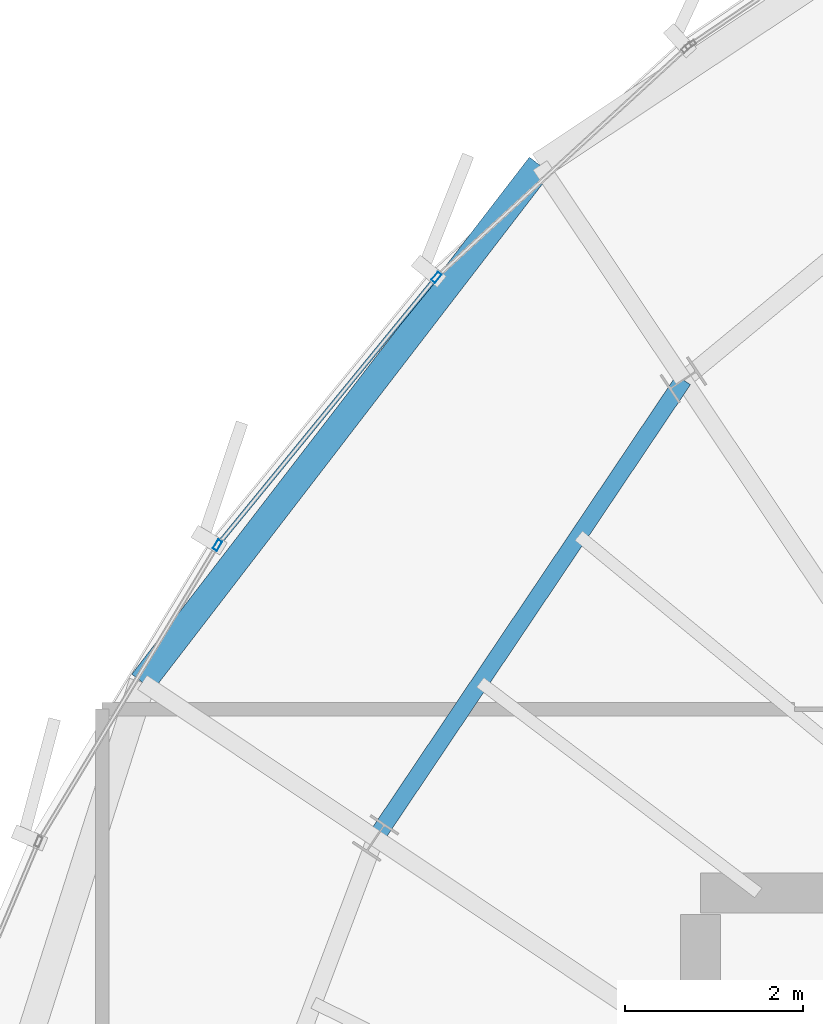
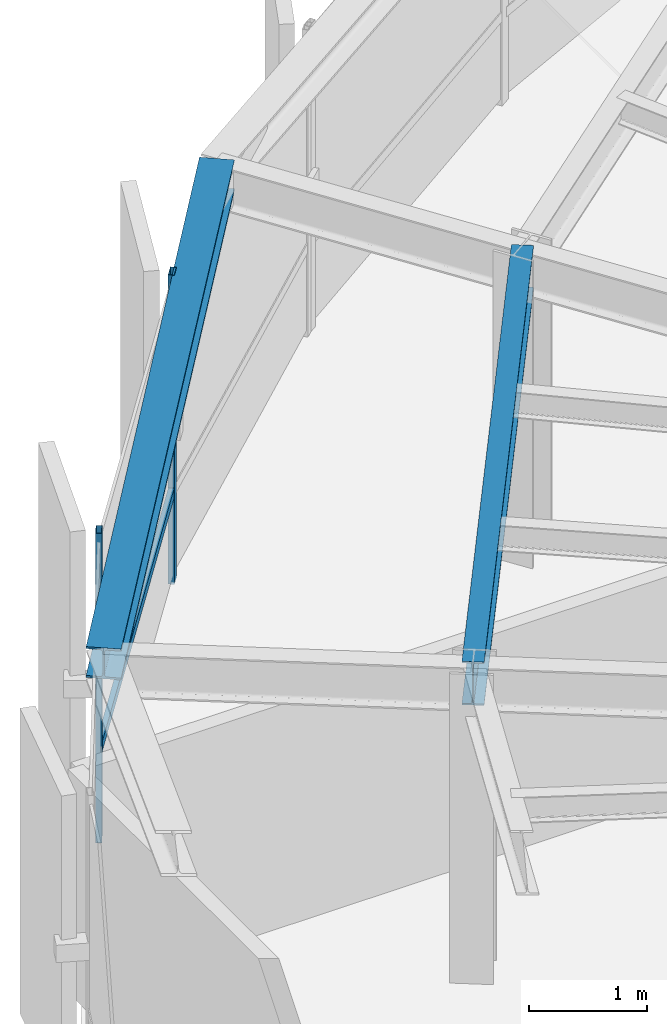
# One storey, part 17 of 31: 3 members, 2 beams, 1 element without a shape of its own.
"""IFC4 building model written with IfcOpenShell, lengths in metres."""

import ifcopenshell
import ifcopenshell.guid

model = None  # the IFC model being written
_history = None  # IfcOwnerHistory: only IFC2X3 demands one
_inside = {}  # id of a spatial element -> (the spatial element, [elements in it])
_under = {}  # id of a project, library or spatial element -> (it, [spatial elements below it])
_declared = {}  # id of a project -> (the project, [libraries it declares])
_typed = {}  # id of a type object -> (the type object, [elements of that type])
_made_of = {}  # id of a material, layer set ... -> (it, [elements and type objects made of it])


def new_model(schema):
    """Start an empty IFC model of exactly this schema.

    Asked for "IFC4X3", IfcOpenShell would pick the latest addendum, in which some entities
    have other attributes; the version numbers below select the first issue.
    IFC2X3 requires an IfcOwnerHistory on every rooted entity: one is made here for all.
    """
    global model, _history
    if schema == "IFC4X3":
        model = ifcopenshell.file(schema_version=(4, 3, 0, 0))
    else:
        model = ifcopenshell.file(schema=schema)
    _inside.clear()
    _under.clear()
    _declared.clear()
    _typed.clear()
    _made_of.clear()
    _history = None
    if model.schema == "IFC2X3":
        org = make("IfcOrganization", Name="unknown")
        user = make(
            "IfcPersonAndOrganization",
            ThePerson=make("IfcPerson", FamilyName="unknown"),
            TheOrganization=org,
        )
        app = make(
            "IfcApplication",
            ApplicationDeveloper=org,
            Version="unknown",
            ApplicationFullName="unknown",
            ApplicationIdentifier="unknown",
        )
        _history = make(
            "IfcOwnerHistory",
            OwningUser=user,
            OwningApplication=app,
            ChangeAction="ADDED",
            CreationDate=0,
        )
    return model


def make(cls, **values):
    """One entity of the class cls with the attributes given. An attribute that is None is left unset."""
    return model.create_entity(
        cls, **{name: value for name, value in values.items() if value is not None}
    )


def rooted(cls, **values):
    """An entity with a GlobalId (a new one), such as an element, a storey or a relation."""
    return make(cls, GlobalId=ifcopenshell.guid.new(), OwnerHistory=_history, **values)


def si_unit(unit_type, name, prefix=None):
    """IfcSIUnit, for example si_unit("LENGTHUNIT", "METRE", prefix="MILLI")."""
    return make("IfcSIUnit", UnitType=unit_type, Prefix=prefix, Name=name)


def assignment(units):
    """IfcUnitAssignment: the units of a project."""
    return None if units is None else make("IfcUnitAssignment", Units=units)


def point(xyz):
    """IfcCartesianPoint."""
    return None if xyz is None else make("IfcCartesianPoint", Coordinates=xyz)


def direction(xyz):
    """IfcDirection."""
    return None if xyz is None else make("IfcDirection", DirectionRatios=xyz)


def frame(location, z_axis=None, x_axis=None):
    """IfcAxis2Placement3D, a coordinate frame: its origin and axes. An axis left out is left unset."""
    return make(
        "IfcAxis2Placement3D",
        Location=point(location),
        Axis=direction(z_axis),
        RefDirection=direction(x_axis),
    )


def frame_2d(location, x_axis=None):
    """IfcAxis2Placement2D, a coordinate frame in the plane: its origin and x axis."""
    return make(
        "IfcAxis2Placement2D", Location=point(location), RefDirection=direction(x_axis)
    )


def origin():
    """The frame at (0, 0, 0) with its axes left unset."""
    return frame((0.0, 0.0, 0.0))


def origin_2d():
    """The frame at (0, 0) in the plane with its x axis left unset."""
    return frame_2d((0.0, 0.0))


def place(relative_to, where):
    """IfcLocalPlacement: puts the frame where relative to a parent placement (None: the world)."""
    return make(
        "IfcLocalPlacement", PlacementRelTo=relative_to, RelativePlacement=where
    )


def context(
    kind, dimensions, precision=None, world=None, true_north=None, identifier=None
):
    """IfcGeometricRepresentationContext, for example the 3D "Model" context."""
    return make(
        "IfcGeometricRepresentationContext",
        ContextIdentifier=identifier,
        ContextType=kind,
        CoordinateSpaceDimension=dimensions,
        Precision=precision,
        WorldCoordinateSystem=world,
        TrueNorth=true_north,
    )


def subcontext(parent, identifier, kind, view, scale=None):
    """IfcGeometricRepresentationSubContext, for example "Body" below "Model"."""
    return make(
        "IfcGeometricRepresentationSubContext",
        ContextIdentifier=identifier,
        ContextType=kind,
        ParentContext=parent,
        TargetScale=scale,
        TargetView=view,
    )


def project(units=None, contexts=None):
    """IfcProject with its units and contexts."""
    return rooted(
        "IfcProject",
        Name="project",
        RepresentationContexts=contexts,
        UnitsInContext=assignment(units),
    )


def spatial(cls, under=None, at=None, **own):
    """A site, building, storey or space (cls), placed at a placement, below another one or the project."""
    s = rooted(cls, ObjectPlacement=at, **own)
    if under is not None:
        _under.setdefault(under.id(), (under, []))[1].append(s)
    return s


def profile(cls, at=None, kind="AREA", **sizes):
    """A parametric profile (cls). Its sizes go by their IFC names, for example OverallWidth=200.0."""
    return make(cls, ProfileType=kind, Position=at, **sizes)


def hollow_rectangle(**sizes):
    """IfcRectangleHollowProfileDef."""
    return profile("IfcRectangleHollowProfileDef", **sizes)


def i_section(**sizes):
    """IfcIShapeProfileDef."""
    return profile("IfcIShapeProfileDef", **sizes)


def extrude(swept, where, along, depth):
    """IfcExtrudedAreaSolid: the profile swept, set in the frame where, extruded along a direction by depth."""
    return make(
        "IfcExtrudedAreaSolid",
        SweptArea=swept,
        Position=where,
        ExtrudedDirection=direction(along),
        Depth=depth,
    )


def shape(context_of_items, identifier, shape_type, items):
    """IfcShapeRepresentation: the items that make up one representation, for example the "Body"."""
    return make(
        "IfcShapeRepresentation",
        ContextOfItems=context_of_items,
        RepresentationIdentifier=identifier,
        RepresentationType=shape_type,
        Items=items,
    )


def source(mapping_origin, context_of_items, identifier, shape_type, items):
    """IfcRepresentationMap: a shape defined once, which mapped items show again and again."""
    return make(
        "IfcRepresentationMap",
        MappingOrigin=mapping_origin,
        MappedRepresentation=shape(context_of_items, identifier, shape_type, items),
    )


def transform(
    local_origin,
    x_axis=None,
    y_axis=None,
    z_axis=None,
    scale=None,
    scale2=None,
    scale3=None,
    uniform=True,
):
    """IfcCartesianTransformationOperator3D, or its non-uniform kind. x_axis, y_axis, z_axis: its Axis1, 2, 3."""
    if uniform:
        return make(
            "IfcCartesianTransformationOperator3D",
            Axis1=direction(x_axis),
            Axis2=direction(y_axis),
            LocalOrigin=point(local_origin),
            Scale=scale,
            Axis3=direction(z_axis),
        )
    return make(
        "IfcCartesianTransformationOperator3DnonUniform",
        Axis1=direction(x_axis),
        Axis2=direction(y_axis),
        LocalOrigin=point(local_origin),
        Scale=scale,
        Axis3=direction(z_axis),
        Scale2=scale2,
        Scale3=scale3,
    )


def mapped(mapping_source, mapping_target):
    """IfcMappedItem: shows the shape of a source again, moved by a transform."""
    return make(
        "IfcMappedItem", MappingSource=mapping_source, MappingTarget=mapping_target
    )


def material(Name=None, Category=None):
    """IfcMaterial."""
    return make("IfcMaterial", Name=Name, Category=Category)


def layer(
    of_material, thickness, ventilated=None, Name=None, Category=None, Priority=None
):
    """IfcMaterialLayer: one layer of a wall or slab, of a material (None: an air gap)."""
    return make(
        "IfcMaterialLayer",
        Material=of_material,
        LayerThickness=thickness,
        IsVentilated=ventilated,
        Name=Name,
        Category=Category,
        Priority=Priority,
    )


def layer_set(layers, Name=None):
    """IfcMaterialLayerSet."""
    return make("IfcMaterialLayerSet", MaterialLayers=layers, LayerSetName=Name)


def material_profile(
    of_material, cross_section, Name=None, Category=None, Priority=None
):
    """IfcMaterialProfile: a cross section and its material."""
    return make(
        "IfcMaterialProfile",
        Name=Name,
        Material=of_material,
        Profile=cross_section,
        Priority=Priority,
        Category=Category,
    )


def profile_set(profiles, Name=None, composite=None):
    """IfcMaterialProfileSet."""
    return make(
        "IfcMaterialProfileSet",
        Name=Name,
        MaterialProfiles=profiles,
        CompositeProfile=composite,
    )


def made_of(thing, what):
    """Note that an element or type object is made of a material, layer set ...; save() writes the relation."""
    if what is not None:
        _made_of.setdefault(what.id(), (what, []))[1].append(thing)
    return thing


def type_object(cls, material=None, **own):
    """A type object (cls), such as IfcWallType, which elements share."""
    return made_of(rooted(cls, **own), material)


def element(
    cls,
    number,
    at=None,
    inside=None,
    cuts=None,
    type_object=None,
    material=None,
    context=None,
    identifier="Body",
    shape_type=None,
    held_by="IfcProductDefinitionShape",
    body=None,
    shapes=None,
    **own,
):
    """One element of the class cls, such as IfcWall. Its Tag is "e" and its number.

    at: its placement. inside: the storey or other place that contains it. cuts: it is an
    opening in that element (IfcRelVoidsElement). A single representation is given by context,
    identifier, shape_type and body (its items); several are given by shapes. held_by: the class
    of the entity that holds the representations. save() writes the other relations.
    """
    e = rooted(cls, Tag="e%d" % number, ObjectPlacement=at, **own)
    if body is not None:
        shapes = [shape(context, identifier, shape_type, body)]
    if shapes is not None:
        e.Representation = make(held_by, Representations=shapes)
    if inside is not None:
        _inside.setdefault(inside.id(), (inside, []))[1].append(e)
    if cuts is not None:
        rooted(
            "IfcRelVoidsElement", RelatingBuildingElement=cuts, RelatedOpeningElement=e
        )
    if type_object is not None:
        _typed.setdefault(type_object.id(), (type_object, []))[1].append(e)
    return made_of(e, material)


def aggregate(whole, parts):
    """IfcRelAggregates: a whole, such as a stair, and the parts it consists of."""
    return rooted("IfcRelAggregates", RelatingObject=whole, RelatedObjects=parts)


def save(model, path):
    """Write the relations noted so far, then the file.

    IfcRelAggregates (storeys below a building ...), IfcRelContainedInSpatialStructure (elements
    in a storey), IfcRelDefinesByType, IfcRelAssociatesMaterial and IfcRelDeclares: one each for
    every whole, place, type object, material and project.
    """
    for whole, parts in _under.values():
        aggregate(whole, parts)
    for where, things in _inside.values():
        rooted(
            "IfcRelContainedInSpatialStructure",
            RelatedElements=things,
            RelatingStructure=where,
        )
    for kind, things in _typed.values():
        rooted("IfcRelDefinesByType", RelatedObjects=things, RelatingType=kind)
    for what, things in _made_of.values():
        rooted("IfcRelAssociatesMaterial", RelatedObjects=things, RelatingMaterial=what)
    for by, libraries in _declared.values():
        rooted("IfcRelDeclares", RelatingContext=by, RelatedDefinitions=libraries)
    model.write(path)


model = new_model("IFC4")

# Units and contexts
model_context = context("Model", 3, precision=1e-05, world=origin(), true_north=direction((0.0, 1.0)))
body_context = subcontext(model_context, "Body", "Model", "MODEL_VIEW")
ifc_project = project(units=[si_unit("LENGTHUNIT", "METRE"), si_unit("AREAUNIT", "SQUARE_METRE"), si_unit("VOLUMEUNIT", "CUBIC_METRE"), si_unit("PLANEANGLEUNIT", "RADIAN"), si_unit("MASSUNIT", "GRAM", prefix="KILO"), si_unit("THERMODYNAMICTEMPERATUREUNIT", "KELVIN")], contexts=[model_context])

# Site, building, storey
site_placement = place(None, origin())
site = spatial("IfcSite", under=ifc_project, at=site_placement, CompositionType="ELEMENT")
building_placement = place(site_placement, origin())
building = spatial("IfcBuilding", under=site, at=building_placement, Name="Kethvar Cultural Tower", CompositionType="ELEMENT")
storey_placement = place(building_placement, frame((0.0, 0.0, 287.050048828125)))
storey = spatial("IfcBuildingStorey", under=building, at=storey_placement, Name="L76", CompositionType="ELEMENT", Elevation=287.050048828125)

# Beams
ifc_material_1 = material(Name="Steel S355J2", Category="steel")
ifc_material_profile_1 = material_profile(ifc_material_1, i_section(OverallWidth=0.18994140625, OverallDepth=0.449951171875, WebThickness=0.009521484375, FlangeThickness=0.0146484375, FilletRadius=0.02099609375, at=origin_2d()), Name="Steel S355J2 — IPE450")
ifc_profile_set_1 = profile_set([ifc_material_profile_1], Name="Steel S355J2 — IPE450")
beam_type_1 = type_object("IfcBeamType", Name="BM-IPE450", PredefinedType="BEAM", material=ifc_profile_set_1)
shared_shape_1 = source(origin(), body_context, "Body", "SweptSolid", [
    extrude(i_section(OverallWidth=0.18994140625, OverallDepth=0.449951171875, WebThickness=0.009521484375, FlangeThickness=0.0146484375, FilletRadius=0.02099609375, at=origin_2d()), origin(), (0.0, 0.0, 1.0), 6.192626953125),
])
beam_1_placement = place(storey_placement, frame((37.8095703125, 41.255126953125, 2.98291015625), z_axis=(-0.557698912025, -0.830043326295, 0.0), x_axis=(0.830043326295, -0.557698912025, 0.0)))
element("IfcBeam", 1, at=beam_1_placement, inside=storey, type_object=beam_type_1, Name="L76 Column Ring Tie Beam CR-06", PredefinedType="BEAM", context=body_context, shape_type="MappedRepresentation", body=[
    mapped(shared_shape_1, transform((0.0, 0.0, 0.0), scale=1.0)),
])
ifc_material_profile_2 = material_profile(ifc_material_1, i_section(OverallWidth=0.300048828125, OverallDepth=0.320068359375, WebThickness=0.011474609375, FlangeThickness=0.0205078125, FilletRadius=0.027099609375, at=origin_2d()), Name="Steel S355J2 — HEB320")
ifc_profile_set_2 = profile_set([ifc_material_profile_2], Name="Steel S355J2 — HEB320")
beam_type_2 = type_object("IfcBeamType", Name="BM-SP320", PredefinedType="SPANDREL", material=ifc_profile_set_2)
shared_shape_2 = source(origin(), body_context, "Body", "SweptSolid", [
    extrude(i_section(OverallWidth=0.300048828125, OverallDepth=0.320068359375, WebThickness=0.011474609375, FlangeThickness=0.0205078125, FilletRadius=0.027099609375, at=origin_2d()), origin(), (0.0, 0.0, 1.0), 7.31689453125),
])
beam_2_placement = place(storey_placement, frame((36.200927734375, 43.66259765625, 3.0478515625), z_axis=(-0.609672059984, -0.792653757497, 0.0), x_axis=(0.792653757497, -0.609672059984, 0.0)))
element("IfcBeam", 2, at=beam_2_placement, inside=storey, type_object=beam_type_2, Name="L76 Perimeter Spandrel Beam SP-06", PredefinedType="SPANDREL", context=body_context, shape_type="MappedRepresentation", body=[
    mapped(shared_shape_2, transform((0.0, 0.0, 0.0), scale=1.0)),
])

# Curtain wall, members
ifc_material_2 = material(Name="Aluminium 6063-T6", Category="aluminium")
ifc_layer = layer(ifc_material_2, 0.179931640625, Name="Aluminium 6063-T6", Category="aluminium")
ifc_layer_set = layer_set([ifc_layer], Name="Aluminium 6063-T6 (180 mm)")
curtain_wall_type = type_object("IfcCurtainWallType", Name="CW-SYS-05-Z56", PredefinedType="NOTDEFINED", material=ifc_layer_set)
curtain_wall_placement = place(storey_placement, origin())
curtain_wall = element("IfcCurtainWall", 3, at=curtain_wall_placement, inside=storey, type_object=curtain_wall_type, Name="L76 Curtain Wall Run 02", PredefinedType="NOTDEFINED")
ifc_material_profile_3 = material_profile(ifc_material_2, hollow_rectangle(XDim=0.054931640625, YDim=0.1201171875, WallThickness=0.00390625, at=origin_2d()), Name="Aluminium 6063-T6 — RHS120x55x4")
ifc_profile_set_3 = profile_set([ifc_material_profile_3], Name="Aluminium 6063-T6 — RHS120x55x4")
member_type_1 = type_object("IfcMemberType", Name="CW-SYS-05-Z56-MUL", PredefinedType="MULLION", material=ifc_profile_set_3)
shared_shape_3 = source(origin(), body_context, "Body", "SweptSolid", [
    extrude(hollow_rectangle(XDim=0.054931640625, YDim=0.1201171875, WallThickness=0.00390625, at=origin_2d()), origin(), (0.0, 0.0, 1.0), 3.2099609375),
])
member_1_placement = place(storey_placement, frame((35.037841796875, 42.40576171875, 0.0), z_axis=(0.0, 0.0, 1.0), x_axis=(0.774414729193, -0.632678296774, 0.0)))
member_1 = element("IfcMember", 4, at=member_1_placement, type_object=member_type_1, Name="CW-L76-R02 Mullion 2", PredefinedType="MULLION", context=body_context, shape_type="MappedRepresentation", body=[
    mapped(shared_shape_3, transform((0.0, 0.0, 0.0), scale=1.0)),
])
member_2_placement = place(storey_placement, frame((32.58203125, 39.4013671875, 0.0), z_axis=(0.0, 0.0, 1.0), x_axis=(0.856339197912, -0.516413766393, 0.0)))
member_2 = element("IfcMember", 5, at=member_2_placement, type_object=member_type_1, Name="CW-L76-R02 Mullion 3", PredefinedType="MULLION", context=body_context, shape_type="MappedRepresentation", body=[
    mapped(shared_shape_3, transform((0.0, 0.0, 0.0), scale=1.0)),
])
ifc_material_profile_4 = material_profile(ifc_material_2, hollow_rectangle(XDim=0.050048828125, YDim=0.10009765625, WallThickness=0.00390625, at=origin_2d()), Name="Aluminium 6063-T6 — RHS100x50x4")
ifc_profile_set_4 = profile_set([ifc_material_profile_4], Name="Aluminium 6063-T6 — RHS100x50x4")
member_type_2 = type_object("IfcMemberType", Name="CW-SYS-05-Z56-TRN", PredefinedType="USERDEFINED", material=ifc_profile_set_4)
shared_shape_4 = source(origin(), body_context, "Body", "SweptSolid", [
    extrude(hollow_rectangle(XDim=0.050048828125, YDim=0.10009765625, WallThickness=0.00390625, at=origin_2d()), origin(), (0.0, 0.0, 1.0), 3.815185546875),
])
member_3_placement = place(storey_placement, frame((35.012939453125, 42.375, 0.949951171875), z_axis=(-0.63267659603, -0.774416118657, 0.0), x_axis=(0.774416118657, -0.63267659603, 0.0)))
member_3 = element("IfcMember", 6, at=member_3_placement, type_object=member_type_2, Name="CW-L76-R02 Transom 2", ObjectType="TRANSOM", PredefinedType="USERDEFINED", context=body_context, shape_type="MappedRepresentation", body=[
    mapped(shared_shape_4, transform((0.0, 0.0, 0.0), scale=1.0)),
])
aggregate(curtain_wall, [member_1, member_2, member_3])

save(model, "model.ifc")
